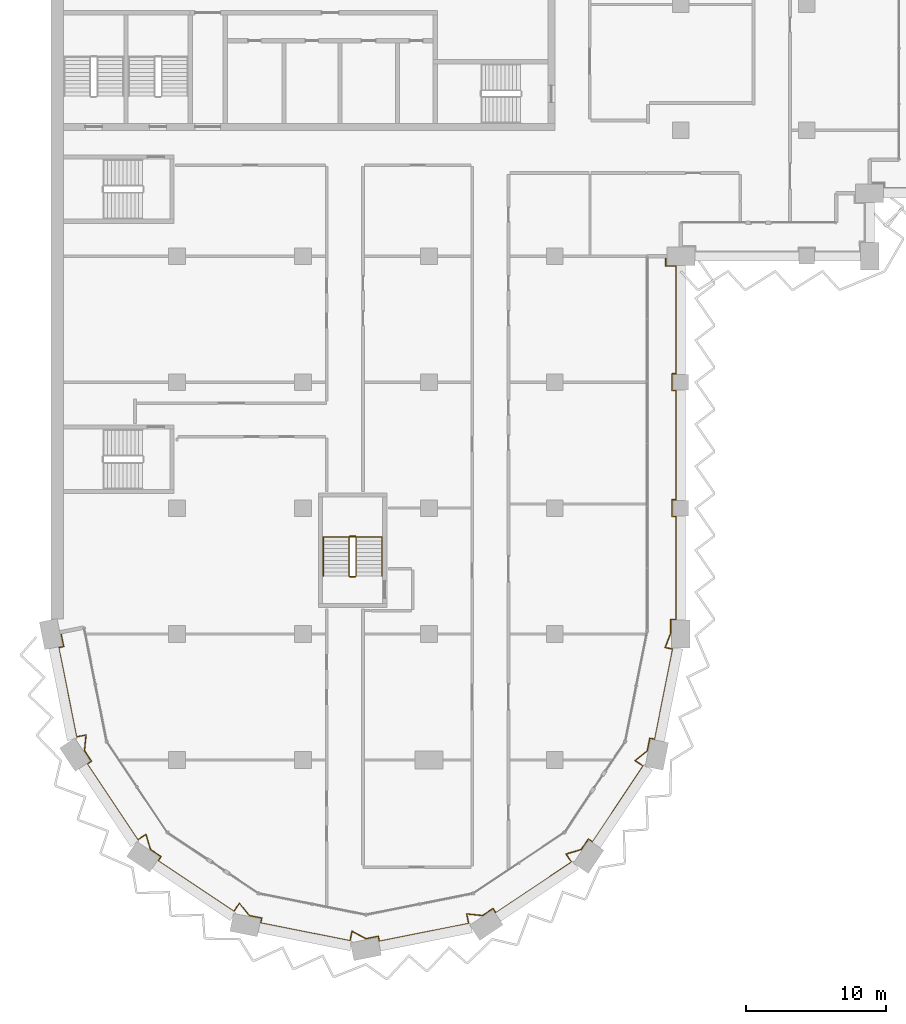
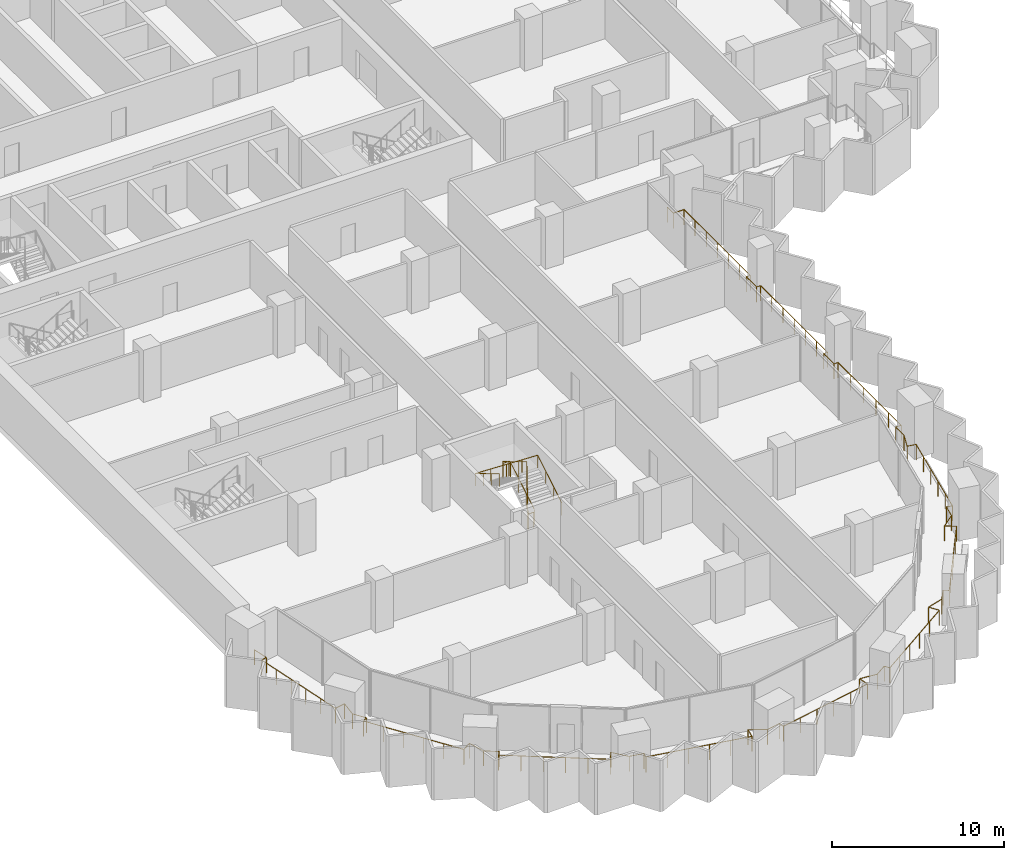
# One storey, part 20 of 23: 3 railings.
"""IFC4 building model written with IfcOpenShell, lengths in metres."""

from ifc_helpers import new_model, si_unit, direction, frame, origin, origin_2d, place, context, subcontext, project, spatial, circle, extrude, material, type_object, element, save


model = new_model("IFC4")

# Units and contexts
model_context = context("Model", 3, precision=1e-05, world=origin(), true_north=direction((0.0, 1.0)))
body_context = subcontext(model_context, "Body", "Model", "MODEL_VIEW")
ifc_project = project(units=[si_unit("LENGTHUNIT", "METRE"), si_unit("AREAUNIT", "SQUARE_METRE"), si_unit("VOLUMEUNIT", "CUBIC_METRE"), si_unit("PLANEANGLEUNIT", "RADIAN"), si_unit("MASSUNIT", "GRAM", prefix="KILO")], contexts=[model_context])

# Site, building, storey
site_placement = place(None, origin())
site = spatial("IfcSite", under=ifc_project, at=site_placement, CompositionType="ELEMENT")
building_placement = place(site_placement, origin())
building = spatial("IfcBuilding", under=site, at=building_placement, Name="Hunhe Ridgeline Campus", CompositionType="ELEMENT")
storey_placement = place(building_placement, frame((0.0, 0.0, 144.89990234375)))
storey = spatial("IfcBuildingStorey", under=building, at=storey_placement, Name="L36", CompositionType="ELEMENT", Elevation=144.89990234375)

# Railings
ifc_material_1 = material(Name="Steel Q355", Category="steel")
railing_type_1 = type_object("IfcRailingType", Name="Loggia guard 1100 Steel Q355", PredefinedType="GUARDRAIL", material=ifc_material_1)
railing_1_placement = place(storey_placement, frame((0.7060546875, 27.140380859375, 0.0)))
element("IfcRailing", 1, at=railing_1_placement, inside=storey, type_object=railing_type_1, Name="Loggia guard 1", PredefinedType="GUARDRAIL", context=body_context, shape_type="SweptSolid", body=[
    extrude(circle(Radius=0.02392578125, at=origin_2d()), frame((0.0, 0.0, 1.076171875), z_axis=(0.195087556151, -0.980785830564, 0.0), x_axis=(0.980785830564, 0.195087556151, 0.0)), (0.0, 0.0, 1.0), 1.050048828125),
    extrude(circle(Radius=0.02392578125, at=origin_2d()), frame((0.204833984375, -1.02978515625, 1.076171875), z_axis=(-0.980858940504, -0.194719641621, 0.0), x_axis=(0.194719641621, -0.980858940504, 0.0)), (0.0, 0.0, 1.0), 0.369873046875),
    extrude(circle(Radius=0.02392578125, at=origin_2d()), frame((-0.157958984375, -1.101806640625, 1.076171875), z_axis=(0.19507695386, -0.9807879394, 0.0), x_axis=(0.9807879394, 0.19507695386, 0.0)), (0.0, 0.0, 1.0), 6.506591796875),
    extrude(circle(Radius=0.02392578125, at=origin_2d()), frame((1.111328125, -7.4833984375, 1.076171875), z_axis=(0.980780459814, 0.195114555191, 0.0), x_axis=(-0.195114555191, 0.980780459814, 0.0)), (0.0, 0.0, 1.0), 0.703125),
    extrude(circle(Radius=0.02392578125, at=origin_2d()), frame((1.801025390625, -7.34619140625, 1.076171875), z_axis=(-0.102884402445, -0.994693319437, 0.0), x_axis=(0.994693319437, -0.102884402445, 0.0)), (0.0, 0.0, 1.0), 1.129638671875),
    extrude(circle(Radius=0.02392578125, at=origin_2d()), frame((1.684814453125, -8.4697265625, 1.076171875), z_axis=(0.555569523548, -0.831470086356, 0.0), x_axis=(0.831470086356, 0.555569523548, 0.0)), (0.0, 0.0, 1.0), 0.906982421875),
    extrude(circle(Radius=0.02392578125, at=origin_2d()), frame((2.188720703125, -9.223876953125, 1.076171875), z_axis=(-0.831440678638, -0.555613532868, 0.0), x_axis=(0.555613532868, -0.831440678638, 0.0)), (0.0, 0.0, 1.0), 0.369873046875),
    extrude(circle(Radius=0.02392578125, at=origin_2d()), frame((1.881103515625, -9.429443359375, 1.076171875), z_axis=(0.55556581165, -0.83147256655, 0.0), x_axis=(0.83147256655, 0.55556581165, 0.0)), (0.0, 0.0, 1.0), 6.50634765625),
    extrude(circle(Radius=0.02392578125, at=origin_2d()), frame((5.495849609375, -14.83935546875, 1.076171875), z_axis=(0.831355400166, 0.555741125539, 0.0), x_axis=(-0.555741125539, 0.831355400166, 0.0)), (0.0, 0.0, 1.0), 0.703369140625),
    extrude(circle(Radius=0.02392578125, at=origin_2d()), frame((6.08056640625, -14.448486328125, 1.076171875), z_axis=(0.285463917281, -0.958389457335, 0.0), x_axis=(0.958389457335, 0.285463917281, 0.0)), (0.0, 0.0, 1.0), 1.1298828125),
    extrude(circle(Radius=0.02392578125, at=origin_2d()), frame((6.403076171875, -15.53125, 1.076171875), z_axis=(0.831511358569, -0.555507750235, 0.0), x_axis=(0.555507750235, 0.831511358569, 0.0)), (0.0, 0.0, 1.0), 0.90673828125),
    extrude(circle(Radius=0.02392578125, at=origin_2d()), frame((7.156982421875, -16.034912109375, 1.076171875), z_axis=(-0.555613532868, -0.831440678638, 0.0), x_axis=(0.831440678638, -0.555613532868, 0.0)), (0.0, 0.0, 1.0), 0.369873046875),
    extrude(circle(Radius=0.02392578125, at=origin_2d()), frame((6.951416015625, -16.342529296875, 1.076171875), z_axis=(0.831455233209, -0.555591752251, 0.0), x_axis=(0.555591752251, 0.831455233209, 0.0)), (0.0, 0.0, 1.0), 6.506591796875),
    extrude(circle(Radius=0.02392578125, at=origin_2d()), frame((12.361328125, -19.95751953125, 1.076171875), z_axis=(0.555741125539, 0.831355400166, 0.0), x_axis=(-0.831355400166, 0.555741125539, 0.0)), (0.0, 0.0, 1.0), 0.703369140625),
    extrude(circle(Radius=0.02392578125, at=origin_2d()), frame((12.752197265625, -19.372802734375, 1.076171875), z_axis=(0.630633305327, -0.776080945657, 0.0), x_axis=(0.776080945657, 0.630633305327, 0.0)), (0.0, 0.0, 1.0), 1.129638671875),
    extrude(circle(Radius=0.02392578125, at=origin_2d()), frame((13.464599609375, -20.24951171875, 1.076171875), z_axis=(0.980807887006, -0.194976636516, 0.0), x_axis=(0.194976636516, 0.980807887006, 0.0)), (0.0, 0.0, 1.0), 0.906494140625),
    extrude(circle(Radius=0.02392578125, at=origin_2d()), frame((14.353759765625, -20.42626953125, 1.076171875), z_axis=(-0.194593653816, -0.980883943132, 0.0), x_axis=(0.980883943132, -0.194593653816, 0.0)), (0.0, 0.0, 1.0), 0.3701171875),
    extrude(circle(Radius=0.02392578125, at=origin_2d()), frame((14.28173828125, -20.789306640625, 1.076171875), z_axis=(0.98078651142, -0.195084133173, 0.0), x_axis=(0.195084133173, 0.98078651142, 0.0)), (0.0, 0.0, 1.0), 6.50634765625),
    extrude(circle(Radius=0.02392578125, at=origin_2d()), frame((20.6630859375, -22.05859375, 1.076171875), z_axis=(0.195114555191, 0.980780459814, 0.0), x_axis=(-0.980780459814, 0.195114555191, 0.0)), (0.0, 0.0, 1.0), 0.703125),
    extrude(circle(Radius=0.02392578125, at=origin_2d()), frame((20.80029296875, -21.368896484375, 1.076171875), z_axis=(0.879616090555, -0.475684278946, 0.0), x_axis=(0.475684278946, 0.879616090555, 0.0)), (0.0, 0.0, 1.0), 1.129638671875),
    extrude(circle(Radius=0.02392578125, at=origin_2d()), frame((21.7939453125, -21.90625, 1.076171875), z_axis=(0.98081812081, 0.194925149456, 0.0), x_axis=(-0.194925149456, 0.98081812081, 0.0)), (0.0, 0.0, 1.0), 0.90673828125),
    extrude(circle(Radius=0.02392578125, at=origin_2d()), frame((22.683349609375, -21.7294921875, 1.076171875), z_axis=(0.194719641621, -0.980858940504, 0.0), x_axis=(0.980858940504, 0.194719641621, 0.0)), (0.0, 0.0, 1.0), 0.369873046875),
    extrude(circle(Radius=0.02392578125, at=origin_2d()), frame((22.75537109375, -22.09228515625, 1.076171875), z_axis=(0.9807879394, 0.19507695386, 0.0), x_axis=(-0.19507695386, 0.9807879394, 0.0)), (0.0, 0.0, 1.0), 6.506591796875),
    extrude(circle(Radius=0.02392578125, at=origin_2d()), frame((29.136962890625, -20.822998046875, 1.076171875), z_axis=(-0.195114555191, 0.980780459814, 0.0), x_axis=(-0.980780459814, -0.195114555191, 0.0)), (0.0, 0.0, 1.0), 0.703125),
    extrude(circle(Radius=0.02392578125, at=origin_2d()), frame((28.999755859375, -20.13330078125, 1.076171875), z_axis=(0.994693319437, -0.102884402445, 0.0), x_axis=(0.102884402445, 0.994693319437, 0.0)), (0.0, 0.0, 1.0), 1.129638671875),
    extrude(circle(Radius=0.02392578125, at=origin_2d()), frame((30.123291015625, -20.24951171875, 1.076171875), z_axis=(0.831470086356, 0.555569523548, 0.0), x_axis=(-0.555569523548, 0.831470086356, 0.0)), (0.0, 0.0, 1.0), 0.906982421875),
    extrude(circle(Radius=0.02392578125, at=origin_2d()), frame((30.87744140625, -19.74560546875, 1.076171875), z_axis=(0.555613532868, -0.831440678638, 0.0), x_axis=(0.831440678638, 0.555613532868, 0.0)), (0.0, 0.0, 1.0), 0.369873046875),
    extrude(circle(Radius=0.02392578125, at=origin_2d()), frame((31.0830078125, -20.05322265625, 1.076171875), z_axis=(0.83147256655, 0.55556581165, 0.0), x_axis=(-0.55556581165, 0.83147256655, 0.0)), (0.0, 0.0, 1.0), 6.50634765625),
    extrude(circle(Radius=0.02392578125, at=origin_2d()), frame((36.492919921875, -16.4384765625, 1.076171875), z_axis=(-0.555741125539, 0.831355400166, 0.0), x_axis=(-0.831355400166, -0.555741125539, 0.0)), (0.0, 0.0, 1.0), 0.703369140625),
    extrude(circle(Radius=0.02392578125, at=origin_2d()), frame((36.10205078125, -15.853759765625, 1.076171875), z_axis=(0.958389457335, 0.285463917281, 0.0), x_axis=(-0.285463917281, 0.958389457335, 0.0)), (0.0, 0.0, 1.0), 1.1298828125),
    extrude(circle(Radius=0.02392578125, at=origin_2d()), frame((37.184814453125, -15.53125, 1.076171875), z_axis=(0.555507750235, 0.831511358569, 0.0), x_axis=(-0.831511358569, 0.555507750235, 0.0)), (0.0, 0.0, 1.0), 0.90673828125),
    extrude(circle(Radius=0.02392578125, at=origin_2d()), frame((37.6884765625, -14.77734375, 1.076171875), z_axis=(0.831440678638, -0.555613532868, 0.0), x_axis=(0.555613532868, 0.831440678638, 0.0)), (0.0, 0.0, 1.0), 0.369873046875),
    extrude(circle(Radius=0.02392578125, at=origin_2d()), frame((37.99609375, -14.98291015625, 1.076171875), z_axis=(0.555591752251, 0.831455233209, 0.0), x_axis=(-0.831455233209, 0.555591752251, 0.0)), (0.0, 0.0, 1.0), 6.506591796875),
    extrude(circle(Radius=0.02392578125, at=origin_2d()), frame((41.611083984375, -9.572998046875, 1.076171875), z_axis=(-0.831355400166, 0.555741125539, 0.0), x_axis=(-0.555741125539, -0.831355400166, 0.0)), (0.0, 0.0, 1.0), 0.703369140625),
    extrude(circle(Radius=0.02392578125, at=origin_2d()), frame((41.0263671875, -9.18212890625, 1.076171875), z_axis=(0.776080945657, 0.630633305327, 0.0), x_axis=(-0.630633305327, 0.776080945657, 0.0)), (0.0, 0.0, 1.0), 1.129638671875),
    extrude(circle(Radius=0.02392578125, at=origin_2d()), frame((41.903076171875, -8.4697265625, 1.076171875), z_axis=(0.194976636516, 0.980807887006, 0.0), x_axis=(-0.980807887006, 0.194976636516, 0.0)), (0.0, 0.0, 1.0), 0.906494140625),
    extrude(circle(Radius=0.02392578125, at=origin_2d()), frame((42.079833984375, -7.58056640625, 1.076171875), z_axis=(0.980883943132, -0.194593653816, 0.0), x_axis=(0.194593653816, 0.980883943132, 0.0)), (0.0, 0.0, 1.0), 0.3701171875),
    extrude(circle(Radius=0.02392578125, at=origin_2d()), frame((42.44287109375, -7.652587890625, 1.076171875), z_axis=(0.195087191819, 0.980785903033, 0.0), x_axis=(-0.980785903033, 0.195087191819, 0.0)), (0.0, 0.0, 1.0), 6.5712890625),
    extrude(circle(Radius=0.02392578125, at=origin_2d()), frame((43.724853515625, -1.20751953125, 1.076171875), z_axis=(-0.9807502228, 0.195266485801, 0.0), x_axis=(-0.195266485801, -0.9807502228, 0.0)), (0.0, 0.0, 1.0), 0.552734375),
    extrude(circle(Radius=0.02392578125, at=origin_2d()), frame((43.182861328125, -1.099609375, 1.076171875), z_axis=(0.354981524628, 0.934873316109, 0.0), x_axis=(-0.934873316109, 0.354981524628, 0.0)), (0.0, 0.0, 1.0), 1.101806640625),
    extrude(circle(Radius=0.02392578125, at=origin_2d()), frame((43.573974609375, -0.069580078125, 1.076171875), z_axis=(0.0, 1.0, 0.0), x_axis=(-1.0, 0.0, 0.0)), (0.0, 0.0, 1.0), 0.979248046875),
    extrude(circle(Radius=0.02392578125, at=origin_2d()), frame((43.573974609375, 0.90966796875, 1.076171875), z_axis=(1.0, 0.0, 0.0), x_axis=(0.0, 1.0, 0.0)), (0.0, 0.0, 1.0), 0.369873046875),
    extrude(circle(Radius=0.02392578125, at=origin_2d()), frame((43.94384765625, 0.90966796875, 1.076171875), z_axis=(0.0, 1.0, 0.0), x_axis=(-1.0, 0.0, 0.0)), (0.0, 0.0, 1.0), 7.349853515625),
    extrude(circle(Radius=0.02392578125, at=origin_2d()), frame((43.94384765625, 8.259521484375, 1.076171875), z_axis=(-1.0, 0.0, 0.0), x_axis=(0.0, -1.0, 0.0)), (0.0, 0.0, 1.0), 0.27001953125),
    extrude(circle(Radius=0.02392578125, at=origin_2d()), frame((43.673828125, 8.259521484375, 1.076171875), z_axis=(0.0, 1.0, 0.0), x_axis=(-1.0, 0.0, 0.0)), (0.0, 0.0, 1.0), 1.2001953125),
    extrude(circle(Radius=0.02392578125, at=origin_2d()), frame((43.673828125, 9.459716796875, 1.076171875), z_axis=(1.0, 0.0, 0.0), x_axis=(0.0, 1.0, 0.0)), (0.0, 0.0, 1.0), 0.27001953125),
    extrude(circle(Radius=0.02392578125, at=origin_2d()), frame((43.94384765625, 9.459716796875, 1.076171875), z_axis=(0.0, 1.0, 0.0), x_axis=(-1.0, 0.0, 0.0)), (0.0, 0.0, 1.0), 7.7998046875),
    extrude(circle(Radius=0.02392578125, at=origin_2d()), frame((43.94384765625, 17.259521484375, 1.076171875), z_axis=(-1.0, 0.0, 0.0), x_axis=(0.0, -1.0, 0.0)), (0.0, 0.0, 1.0), 0.27001953125),
    extrude(circle(Radius=0.02392578125, at=origin_2d()), frame((43.673828125, 17.259521484375, 1.076171875), z_axis=(0.0, 1.0, 0.0), x_axis=(-1.0, 0.0, 0.0)), (0.0, 0.0, 1.0), 1.2001953125),
    extrude(circle(Radius=0.02392578125, at=origin_2d()), frame((43.673828125, 18.459716796875, 1.076171875), z_axis=(1.0, 0.0, 0.0), x_axis=(0.0, 1.0, 0.0)), (0.0, 0.0, 1.0), 0.27001953125),
    extrude(circle(Radius=0.02392578125, at=origin_2d()), frame((43.94384765625, 18.459716796875, 1.076171875), z_axis=(0.0, 1.0, 0.0), x_axis=(-1.0, 0.0, 0.0)), (0.0, 0.0, 1.0), 7.699951171875),
    extrude(circle(Radius=0.02392578125, at=origin_2d()), frame((43.94384765625, 26.15966796875, 1.076171875), z_axis=(-1.0, 0.0, 0.0), x_axis=(0.0, -1.0, 0.0)), (0.0, 0.0, 1.0), 0.719970703125),
    extrude(circle(Radius=0.02392578125, at=origin_2d()), frame((43.223876953125, 26.15966796875, 1.076171875), z_axis=(0.0, 1.0, 0.0), x_axis=(-1.0, 0.0, 0.0)), (0.0, 0.0, 1.0), 0.699951171875),
    extrude(circle(Radius=0.02099609375, at=origin_2d()), origin(), (0.0, 0.0, 1.0), 1.052001953125),
    extrude(circle(Radius=0.02099609375, at=origin_2d()), frame((0.204833984375, -1.02978515625, 0.0)), (0.0, 0.0, 1.0), 1.052001953125),
    extrude(circle(Radius=0.02099609375, at=origin_2d()), frame((-0.157958984375, -1.101806640625, 0.0)), (0.0, 0.0, 1.0), 1.052001953125),
    extrude(circle(Radius=0.02099609375, at=origin_2d()), frame((0.095947265625, -2.378173828125, 0.0)), (0.0, 0.0, 1.0), 1.052001953125),
    extrude(circle(Radius=0.02099609375, at=origin_2d()), frame((0.349853515625, -3.654541015625, 0.0)), (0.0, 0.0, 1.0), 1.052001953125),
    extrude(circle(Radius=0.02099609375, at=origin_2d()), frame((0.603515625, -4.9306640625, 0.0)), (0.0, 0.0, 1.0), 1.052001953125),
    extrude(circle(Radius=0.02099609375, at=origin_2d()), frame((0.857421875, -6.20703125, 0.0)), (0.0, 0.0, 1.0), 1.052001953125),
    extrude(circle(Radius=0.02099609375, at=origin_2d()), frame((1.111328125, -7.4833984375, 0.0)), (0.0, 0.0, 1.0), 1.052001953125),
    extrude(circle(Radius=0.02099609375, at=origin_2d()), frame((1.801025390625, -7.34619140625, 0.0)), (0.0, 0.0, 1.0), 1.052001953125),
    extrude(circle(Radius=0.02099609375, at=origin_2d()), frame((1.684814453125, -8.4697265625, 0.0)), (0.0, 0.0, 1.0), 1.052001953125),
    extrude(circle(Radius=0.02099609375, at=origin_2d()), frame((2.188720703125, -9.223876953125, 0.0)), (0.0, 0.0, 1.0), 1.052001953125),
    extrude(circle(Radius=0.02099609375, at=origin_2d()), frame((1.881103515625, -9.429443359375, 0.0)), (0.0, 0.0, 1.0), 1.052001953125),
    extrude(circle(Radius=0.02099609375, at=origin_2d()), frame((2.60400390625, -10.511474609375, 0.0)), (0.0, 0.0, 1.0), 1.052001953125),
    extrude(circle(Radius=0.02099609375, at=origin_2d()), frame((3.326904296875, -11.593505859375, 0.0)), (0.0, 0.0, 1.0), 1.052001953125),
    extrude(circle(Radius=0.02099609375, at=origin_2d()), frame((4.050048828125, -12.67529296875, 0.0)), (0.0, 0.0, 1.0), 1.052001953125),
    extrude(circle(Radius=0.02099609375, at=origin_2d()), frame((4.77294921875, -13.75732421875, 0.0)), (0.0, 0.0, 1.0), 1.052001953125),
    extrude(circle(Radius=0.02099609375, at=origin_2d()), frame((5.495849609375, -14.83935546875, 0.0)), (0.0, 0.0, 1.0), 1.052001953125),
    extrude(circle(Radius=0.02099609375, at=origin_2d()), frame((6.08056640625, -14.448486328125, 0.0)), (0.0, 0.0, 1.0), 1.052001953125),
    extrude(circle(Radius=0.02099609375, at=origin_2d()), frame((6.403076171875, -15.53125, 0.0)), (0.0, 0.0, 1.0), 1.052001953125),
    extrude(circle(Radius=0.02099609375, at=origin_2d()), frame((7.156982421875, -16.034912109375, 0.0)), (0.0, 0.0, 1.0), 1.052001953125),
    extrude(circle(Radius=0.02099609375, at=origin_2d()), frame((6.951416015625, -16.342529296875, 0.0)), (0.0, 0.0, 1.0), 1.052001953125),
    extrude(circle(Radius=0.02099609375, at=origin_2d()), frame((8.033447265625, -17.0654296875, 0.0)), (0.0, 0.0, 1.0), 1.052001953125),
    extrude(circle(Radius=0.02099609375, at=origin_2d()), frame((9.115478515625, -17.78857421875, 0.0)), (0.0, 0.0, 1.0), 1.052001953125),
    extrude(circle(Radius=0.02099609375, at=origin_2d()), frame((10.197265625, -18.511474609375, 0.0)), (0.0, 0.0, 1.0), 1.052001953125),
    extrude(circle(Radius=0.02099609375, at=origin_2d()), frame((11.279296875, -19.234619140625, 0.0)), (0.0, 0.0, 1.0), 1.052001953125),
    extrude(circle(Radius=0.02099609375, at=origin_2d()), frame((12.361328125, -19.95751953125, 0.0)), (0.0, 0.0, 1.0), 1.052001953125),
    extrude(circle(Radius=0.02099609375, at=origin_2d()), frame((12.752197265625, -19.372802734375, 0.0)), (0.0, 0.0, 1.0), 1.052001953125),
    extrude(circle(Radius=0.02099609375, at=origin_2d()), frame((13.464599609375, -20.24951171875, 0.0)), (0.0, 0.0, 1.0), 1.052001953125),
    extrude(circle(Radius=0.02099609375, at=origin_2d()), frame((14.353759765625, -20.42626953125, 0.0)), (0.0, 0.0, 1.0), 1.052001953125),
    extrude(circle(Radius=0.02099609375, at=origin_2d()), frame((14.28173828125, -20.789306640625, 0.0)), (0.0, 0.0, 1.0), 1.052001953125),
    extrude(circle(Radius=0.02099609375, at=origin_2d()), frame((15.55810546875, -21.043212890625, 0.0)), (0.0, 0.0, 1.0), 1.052001953125),
    extrude(circle(Radius=0.02099609375, at=origin_2d()), frame((16.834228515625, -21.297119140625, 0.0)), (0.0, 0.0, 1.0), 1.052001953125),
    extrude(circle(Radius=0.02099609375, at=origin_2d()), frame((18.110595703125, -21.55078125, 0.0)), (0.0, 0.0, 1.0), 1.052001953125),
    extrude(circle(Radius=0.02099609375, at=origin_2d()), frame((19.38671875, -21.8046875, 0.0)), (0.0, 0.0, 1.0), 1.052001953125),
    extrude(circle(Radius=0.02099609375, at=origin_2d()), frame((20.6630859375, -22.05859375, 0.0)), (0.0, 0.0, 1.0), 1.052001953125),
    extrude(circle(Radius=0.02099609375, at=origin_2d()), frame((20.80029296875, -21.368896484375, 0.0)), (0.0, 0.0, 1.0), 1.052001953125),
    extrude(circle(Radius=0.02099609375, at=origin_2d()), frame((21.7939453125, -21.90625, 0.0)), (0.0, 0.0, 1.0), 1.052001953125),
    extrude(circle(Radius=0.02099609375, at=origin_2d()), frame((22.683349609375, -21.7294921875, 0.0)), (0.0, 0.0, 1.0), 1.052001953125),
    extrude(circle(Radius=0.02099609375, at=origin_2d()), frame((22.75537109375, -22.09228515625, 0.0)), (0.0, 0.0, 1.0), 1.052001953125),
    extrude(circle(Radius=0.02099609375, at=origin_2d()), frame((24.03173828125, -21.83837890625, 0.0)), (0.0, 0.0, 1.0), 1.052001953125),
    extrude(circle(Radius=0.02099609375, at=origin_2d()), frame((25.30810546875, -21.58447265625, 0.0)), (0.0, 0.0, 1.0), 1.052001953125),
    extrude(circle(Radius=0.02099609375, at=origin_2d()), frame((26.584228515625, -21.330810546875, 0.0)), (0.0, 0.0, 1.0), 1.052001953125),
    extrude(circle(Radius=0.02099609375, at=origin_2d()), frame((27.860595703125, -21.076904296875, 0.0)), (0.0, 0.0, 1.0), 1.052001953125),
    extrude(circle(Radius=0.02099609375, at=origin_2d()), frame((29.136962890625, -20.822998046875, 0.0)), (0.0, 0.0, 1.0), 1.052001953125),
    extrude(circle(Radius=0.02099609375, at=origin_2d()), frame((28.999755859375, -20.13330078125, 0.0)), (0.0, 0.0, 1.0), 1.052001953125),
    extrude(circle(Radius=0.02099609375, at=origin_2d()), frame((30.123291015625, -20.24951171875, 0.0)), (0.0, 0.0, 1.0), 1.052001953125),
    extrude(circle(Radius=0.02099609375, at=origin_2d()), frame((30.87744140625, -19.74560546875, 0.0)), (0.0, 0.0, 1.0), 1.052001953125),
    extrude(circle(Radius=0.02099609375, at=origin_2d()), frame((31.0830078125, -20.05322265625, 0.0)), (0.0, 0.0, 1.0), 1.052001953125),
    extrude(circle(Radius=0.02099609375, at=origin_2d()), frame((32.1650390625, -19.330322265625, 0.0)), (0.0, 0.0, 1.0), 1.052001953125),
    extrude(circle(Radius=0.02099609375, at=origin_2d()), frame((33.2470703125, -18.607421875, 0.0)), (0.0, 0.0, 1.0), 1.052001953125),
    extrude(circle(Radius=0.02099609375, at=origin_2d()), frame((34.328857421875, -17.88427734375, 0.0)), (0.0, 0.0, 1.0), 1.052001953125),
    extrude(circle(Radius=0.02099609375, at=origin_2d()), frame((35.410888671875, -17.161376953125, 0.0)), (0.0, 0.0, 1.0), 1.052001953125),
    extrude(circle(Radius=0.02099609375, at=origin_2d()), frame((36.492919921875, -16.4384765625, 0.0)), (0.0, 0.0, 1.0), 1.052001953125),
    extrude(circle(Radius=0.02099609375, at=origin_2d()), frame((36.10205078125, -15.853759765625, 0.0)), (0.0, 0.0, 1.0), 1.052001953125),
    extrude(circle(Radius=0.02099609375, at=origin_2d()), frame((37.184814453125, -15.53125, 0.0)), (0.0, 0.0, 1.0), 1.052001953125),
    extrude(circle(Radius=0.02099609375, at=origin_2d()), frame((37.6884765625, -14.77734375, 0.0)), (0.0, 0.0, 1.0), 1.052001953125),
    extrude(circle(Radius=0.02099609375, at=origin_2d()), frame((37.99609375, -14.98291015625, 0.0)), (0.0, 0.0, 1.0), 1.052001953125),
    extrude(circle(Radius=0.02099609375, at=origin_2d()), frame((38.718994140625, -13.90087890625, 0.0)), (0.0, 0.0, 1.0), 1.052001953125),
    extrude(circle(Radius=0.02099609375, at=origin_2d()), frame((39.442138671875, -12.81884765625, 0.0)), (0.0, 0.0, 1.0), 1.052001953125),
    extrude(circle(Radius=0.02099609375, at=origin_2d()), frame((40.1650390625, -11.737060546875, 0.0)), (0.0, 0.0, 1.0), 1.052001953125),
    extrude(circle(Radius=0.02099609375, at=origin_2d()), frame((40.88818359375, -10.655029296875, 0.0)), (0.0, 0.0, 1.0), 1.052001953125),
    extrude(circle(Radius=0.02099609375, at=origin_2d()), frame((41.611083984375, -9.572998046875, 0.0)), (0.0, 0.0, 1.0), 1.052001953125),
    extrude(circle(Radius=0.02099609375, at=origin_2d()), frame((41.0263671875, -9.18212890625, 0.0)), (0.0, 0.0, 1.0), 1.052001953125),
    extrude(circle(Radius=0.02099609375, at=origin_2d()), frame((41.903076171875, -8.4697265625, 0.0)), (0.0, 0.0, 1.0), 1.052001953125),
    extrude(circle(Radius=0.02099609375, at=origin_2d()), frame((42.079833984375, -7.58056640625, 0.0)), (0.0, 0.0, 1.0), 1.052001953125),
    extrude(circle(Radius=0.02099609375, at=origin_2d()), frame((42.44287109375, -7.652587890625, 0.0)), (0.0, 0.0, 1.0), 1.052001953125),
    extrude(circle(Radius=0.02099609375, at=origin_2d()), frame((42.69921875, -6.363525390625, 0.0)), (0.0, 0.0, 1.0), 1.052001953125),
    extrude(circle(Radius=0.02099609375, at=origin_2d()), frame((42.95556640625, -5.074462890625, 0.0)), (0.0, 0.0, 1.0), 1.052001953125),
    extrude(circle(Radius=0.02099609375, at=origin_2d()), frame((43.212158203125, -3.78564453125, 0.0)), (0.0, 0.0, 1.0), 1.052001953125),
    extrude(circle(Radius=0.02099609375, at=origin_2d()), frame((43.468505859375, -2.49658203125, 0.0)), (0.0, 0.0, 1.0), 1.052001953125),
    extrude(circle(Radius=0.02099609375, at=origin_2d()), frame((43.724853515625, -1.20751953125, 0.0)), (0.0, 0.0, 1.0), 1.052001953125),
    extrude(circle(Radius=0.02099609375, at=origin_2d()), frame((43.182861328125, -1.099609375, 0.0)), (0.0, 0.0, 1.0), 1.052001953125),
    extrude(circle(Radius=0.02099609375, at=origin_2d()), frame((43.573974609375, -0.069580078125, 0.0)), (0.0, 0.0, 1.0), 1.052001953125),
    extrude(circle(Radius=0.02099609375, at=origin_2d()), frame((43.573974609375, 0.90966796875, 0.0)), (0.0, 0.0, 1.0), 1.052001953125),
    extrude(circle(Radius=0.02099609375, at=origin_2d()), frame((43.94384765625, 0.90966796875, 0.0)), (0.0, 0.0, 1.0), 1.052001953125),
    extrude(circle(Radius=0.02099609375, at=origin_2d()), frame((43.94384765625, 2.379638671875, 0.0)), (0.0, 0.0, 1.0), 1.052001953125),
    extrude(circle(Radius=0.02099609375, at=origin_2d()), frame((43.94384765625, 3.849609375, 0.0)), (0.0, 0.0, 1.0), 1.052001953125),
    extrude(circle(Radius=0.02099609375, at=origin_2d()), frame((43.94384765625, 5.319580078125, 0.0)), (0.0, 0.0, 1.0), 1.052001953125),
    extrude(circle(Radius=0.02099609375, at=origin_2d()), frame((43.94384765625, 6.78955078125, 0.0)), (0.0, 0.0, 1.0), 1.052001953125),
    extrude(circle(Radius=0.02099609375, at=origin_2d()), frame((43.94384765625, 8.259521484375, 0.0)), (0.0, 0.0, 1.0), 1.052001953125),
    extrude(circle(Radius=0.02099609375, at=origin_2d()), frame((43.673828125, 8.259521484375, 0.0)), (0.0, 0.0, 1.0), 1.052001953125),
    extrude(circle(Radius=0.02099609375, at=origin_2d()), frame((43.673828125, 9.459716796875, 0.0)), (0.0, 0.0, 1.0), 1.052001953125),
    extrude(circle(Radius=0.02099609375, at=origin_2d()), frame((43.94384765625, 9.459716796875, 0.0)), (0.0, 0.0, 1.0), 1.052001953125),
    extrude(circle(Radius=0.02099609375, at=origin_2d()), frame((43.94384765625, 10.759765625, 0.0)), (0.0, 0.0, 1.0), 1.052001953125),
    extrude(circle(Radius=0.02099609375, at=origin_2d()), frame((43.94384765625, 12.0595703125, 0.0)), (0.0, 0.0, 1.0), 1.052001953125),
    extrude(circle(Radius=0.02099609375, at=origin_2d()), frame((43.94384765625, 13.359619140625, 0.0)), (0.0, 0.0, 1.0), 1.052001953125),
    extrude(circle(Radius=0.02099609375, at=origin_2d()), frame((43.94384765625, 14.65966796875, 0.0)), (0.0, 0.0, 1.0), 1.052001953125),
    extrude(circle(Radius=0.02099609375, at=origin_2d()), frame((43.94384765625, 15.95947265625, 0.0)), (0.0, 0.0, 1.0), 1.052001953125),
    extrude(circle(Radius=0.02099609375, at=origin_2d()), frame((43.94384765625, 17.259521484375, 0.0)), (0.0, 0.0, 1.0), 1.052001953125),
    extrude(circle(Radius=0.02099609375, at=origin_2d()), frame((43.673828125, 17.259521484375, 0.0)), (0.0, 0.0, 1.0), 1.052001953125),
    extrude(circle(Radius=0.02099609375, at=origin_2d()), frame((43.673828125, 18.459716796875, 0.0)), (0.0, 0.0, 1.0), 1.052001953125),
    extrude(circle(Radius=0.02099609375, at=origin_2d()), frame((43.94384765625, 18.459716796875, 0.0)), (0.0, 0.0, 1.0), 1.052001953125),
    extrude(circle(Radius=0.02099609375, at=origin_2d()), frame((43.94384765625, 19.7431640625, 0.0)), (0.0, 0.0, 1.0), 1.052001953125),
    extrude(circle(Radius=0.02099609375, at=origin_2d()), frame((43.94384765625, 21.0263671875, 0.0)), (0.0, 0.0, 1.0), 1.052001953125),
    extrude(circle(Radius=0.02099609375, at=origin_2d()), frame((43.94384765625, 22.3095703125, 0.0)), (0.0, 0.0, 1.0), 1.052001953125),
    extrude(circle(Radius=0.02099609375, at=origin_2d()), frame((43.94384765625, 23.593017578125, 0.0)), (0.0, 0.0, 1.0), 1.052001953125),
    extrude(circle(Radius=0.02099609375, at=origin_2d()), frame((43.94384765625, 24.87646484375, 0.0)), (0.0, 0.0, 1.0), 1.052001953125),
    extrude(circle(Radius=0.02099609375, at=origin_2d()), frame((43.94384765625, 26.15966796875, 0.0)), (0.0, 0.0, 1.0), 1.052001953125),
    extrude(circle(Radius=0.02099609375, at=origin_2d()), frame((43.223876953125, 26.15966796875, 0.0)), (0.0, 0.0, 1.0), 1.052001953125),
    extrude(circle(Radius=0.02099609375, at=origin_2d()), frame((43.223876953125, 26.859619140625, 0.0)), (0.0, 0.0, 1.0), 1.052001953125),
])
ifc_material_2 = material(Name="Stainless steel balustrade", Category="steel")
railing_type_2 = type_object("IfcRailingType", Name="Stair guard 1100 stainless", PredefinedType="GUARDRAIL", material=ifc_material_2)
railing_2_placement = place(storey_placement, frame((21.800048828125, 31.14990234375, 0.168212890625)))
element("IfcRailing", 2, at=railing_2_placement, inside=storey, type_object=railing_type_2, Name="L36 stair W3 guard", PredefinedType="GUARDRAIL", context=body_context, shape_type="SweptSolid", body=[
    extrude(circle(Radius=0.02392578125, at=origin_2d()), frame((0.0, 0.0, 1.076171875), z_axis=(0.0, 0.857242210791, 0.514913383045), x_axis=(-1.0, 0.0, 0.0)), (0.0, 0.0, 1.0), 3.266357421875),
    extrude(circle(Radius=0.02392578125, at=origin_2d()), frame((0.0, 2.800048828125, 2.7578125), z_axis=(-0.707106781187, 0.707106781187, 0.0), x_axis=(-0.707106781187, -0.707106781187, 0.0)), (0.0, 0.0, 1.0), 0.07080078125),
    extrude(circle(Radius=0.02392578125, at=origin_2d()), frame((-0.050048828125, 2.85009765625, 2.7578125), z_axis=(-1.0, 0.0, 0.0), x_axis=(0.0, -1.0, 0.0)), (0.0, 0.0, 1.0), 0.39990234375),
    extrude(circle(Radius=0.02392578125, at=origin_2d()), frame((-0.449951171875, 2.85009765625, 2.7578125), z_axis=(-0.274243871929, -0.274243871929, 0.92172696468), x_axis=(0.707106781187, -0.707106781187, 0.0)), (0.0, 0.0, 1.0), 0.1826171875),
    extrude(circle(Radius=0.02392578125, at=origin_2d()), frame((-0.5, 2.800048828125, 2.92626953125), z_axis=(0.0, -0.857242210791, 0.514913383045), x_axis=(1.0, 0.0, 0.0)), (0.0, 0.0, 1.0), 3.266357421875),
    extrude(circle(Radius=0.02392578125, at=origin_2d()), frame((-0.5, 0.0, 4.60791015625), z_axis=(0.013523534403, -0.013457565943, -0.999817987404), x_axis=(0.705375805398, 0.708833529934, 0.0)), (0.0, 0.0, 1.0), 3.700927734375),
    extrude(circle(Radius=0.02392578125, at=origin_2d()), frame((-0.449951171875, -0.0498046875, 0.90771484375), z_axis=(1.0, 0.0, 0.0), x_axis=(0.0, 1.0, 0.0)), (0.0, 0.0, 1.0), 0.39990234375),
    extrude(circle(Radius=0.02099609375, at=origin_2d()), origin(), (0.0, 0.0, 1.0), 1.052001953125),
    extrude(circle(Radius=0.02099609375, at=origin_2d()), frame((0.0, 0.933349609375, 0.560546875)), (0.0, 0.0, 1.0), 1.052001953125),
    extrude(circle(Radius=0.02099609375, at=origin_2d()), frame((0.0, 1.86669921875, 1.121337890625)), (0.0, 0.0, 1.0), 1.052001953125),
    extrude(circle(Radius=0.02099609375, at=origin_2d()), frame((0.0, 2.800048828125, 1.681884765625)), (0.0, 0.0, 1.0), 1.052001953125),
    extrude(circle(Radius=0.02099609375, at=origin_2d()), frame((-0.050048828125, 2.85009765625, 1.681884765625)), (0.0, 0.0, 1.0), 1.052001953125),
    extrude(circle(Radius=0.02099609375, at=origin_2d()), frame((-0.449951171875, 2.85009765625, 1.681884765625)), (0.0, 0.0, 1.0), 1.052001953125),
    extrude(circle(Radius=0.02099609375, at=origin_2d()), frame((-0.5, 2.800048828125, 1.85009765625)), (0.0, 0.0, 1.0), 1.052001953125),
    extrude(circle(Radius=0.02099609375, at=origin_2d()), frame((-0.5, 1.86669921875, 2.41064453125)), (0.0, 0.0, 1.0), 1.052001953125),
    extrude(circle(Radius=0.02099609375, at=origin_2d()), frame((-0.5, 0.933349609375, 2.971435546875)), (0.0, 0.0, 1.0), 1.052001953125),
    extrude(circle(Radius=0.02099609375, at=origin_2d()), frame((-0.5, 0.0, 3.531982421875)), (0.0, 0.0, 1.0), 1.052001953125),
    extrude(circle(Radius=0.02099609375, at=origin_2d()), frame((-0.487548828125, -0.012451171875, 2.60693359375)), (0.0, 0.0, 1.0), 1.052001953125),
    extrude(circle(Radius=0.02099609375, at=origin_2d()), frame((-0.47509765625, -0.02490234375, 1.681884765625)), (0.0, 0.0, 1.0), 1.052001953125),
    extrude(circle(Radius=0.02099609375, at=origin_2d()), frame((-0.46240234375, -0.037353515625, 0.7568359375)), (0.0, 0.0, 1.0), 1.052001953125),
    extrude(circle(Radius=0.02099609375, at=origin_2d()), frame((-0.449951171875, -0.0498046875, -0.168212890625)), (0.0, 0.0, 1.0), 1.052001953125),
    extrude(circle(Radius=0.02099609375, at=origin_2d()), frame((-0.050048828125, -0.0498046875, -0.168212890625)), (0.0, 0.0, 1.0), 1.052001953125),
])
ifc_material_3 = material(Name="Stainless steel handrail", Category="steel")
railing_type_3 = type_object("IfcRailingType", Name="Stair handrail 900 stainless", PredefinedType="HANDRAIL", material=ifc_material_3)
railing_3_placement = place(storey_placement, frame((23.64990234375, 31.14990234375, 0.168212890625)))
element("IfcRailing", 3, at=railing_3_placement, inside=storey, type_object=railing_type_3, Name="L36 stair W3 handrail", PredefinedType="HANDRAIL", context=body_context, shape_type="SweptSolid", body=[
    extrude(circle(Radius=0.02392578125, at=origin_2d()), frame((0.0, 0.0, 0.8759765625), z_axis=(0.0, 0.857242210791, 0.514913383045), x_axis=(-1.0, 0.0, 0.0)), (0.0, 0.0, 1.0), 3.266357421875),
    extrude(circle(Radius=0.02392578125, at=origin_2d()), frame((0.0, 2.800048828125, 2.5576171875), z_axis=(-0.999198916169, 0.0, 0.040019069537), x_axis=(0.0, -1.0, 0.0)), (0.0, 0.0, 1.0), 4.203369140625),
    extrude(circle(Radius=0.02392578125, at=origin_2d()), frame((-4.199951171875, 2.800048828125, 2.72607421875), z_axis=(0.0, -0.857242210791, 0.514913383045), x_axis=(1.0, 0.0, 0.0)), (0.0, 0.0, 1.0), 3.266357421875),
    extrude(circle(Radius=0.02099609375, at=origin_2d()), origin(), (0.0, 0.0, 1.0), 0.851806640625),
    extrude(circle(Radius=0.02099609375, at=origin_2d()), frame((0.0, 0.933349609375, 0.560546875)), (0.0, 0.0, 1.0), 0.851806640625),
    extrude(circle(Radius=0.02099609375, at=origin_2d()), frame((0.0, 1.86669921875, 1.121337890625)), (0.0, 0.0, 1.0), 0.851806640625),
    extrude(circle(Radius=0.02099609375, at=origin_2d()), frame((0.0, 2.800048828125, 1.681884765625)), (0.0, 0.0, 1.0), 0.851806640625),
    extrude(circle(Radius=0.02099609375, at=origin_2d()), frame((-1.050048828125, 2.800048828125, 1.723876953125)), (0.0, 0.0, 1.0), 0.851806640625),
    extrude(circle(Radius=0.02099609375, at=origin_2d()), frame((-2.10009765625, 2.800048828125, 1.76611328125)), (0.0, 0.0, 1.0), 0.851806640625),
    extrude(circle(Radius=0.02099609375, at=origin_2d()), frame((-3.14990234375, 2.800048828125, 1.80810546875)), (0.0, 0.0, 1.0), 0.851806640625),
    extrude(circle(Radius=0.02099609375, at=origin_2d()), frame((-4.199951171875, 2.800048828125, 1.85009765625)), (0.0, 0.0, 1.0), 0.851806640625),
    extrude(circle(Radius=0.02099609375, at=origin_2d()), frame((-4.199951171875, 1.86669921875, 2.41064453125)), (0.0, 0.0, 1.0), 0.851806640625),
    extrude(circle(Radius=0.02099609375, at=origin_2d()), frame((-4.199951171875, 0.933349609375, 2.971435546875)), (0.0, 0.0, 1.0), 0.851806640625),
    extrude(circle(Radius=0.02099609375, at=origin_2d()), frame((-4.199951171875, 0.0, 3.531982421875)), (0.0, 0.0, 1.0), 0.851806640625),
])

save(model, "model.ifc")
